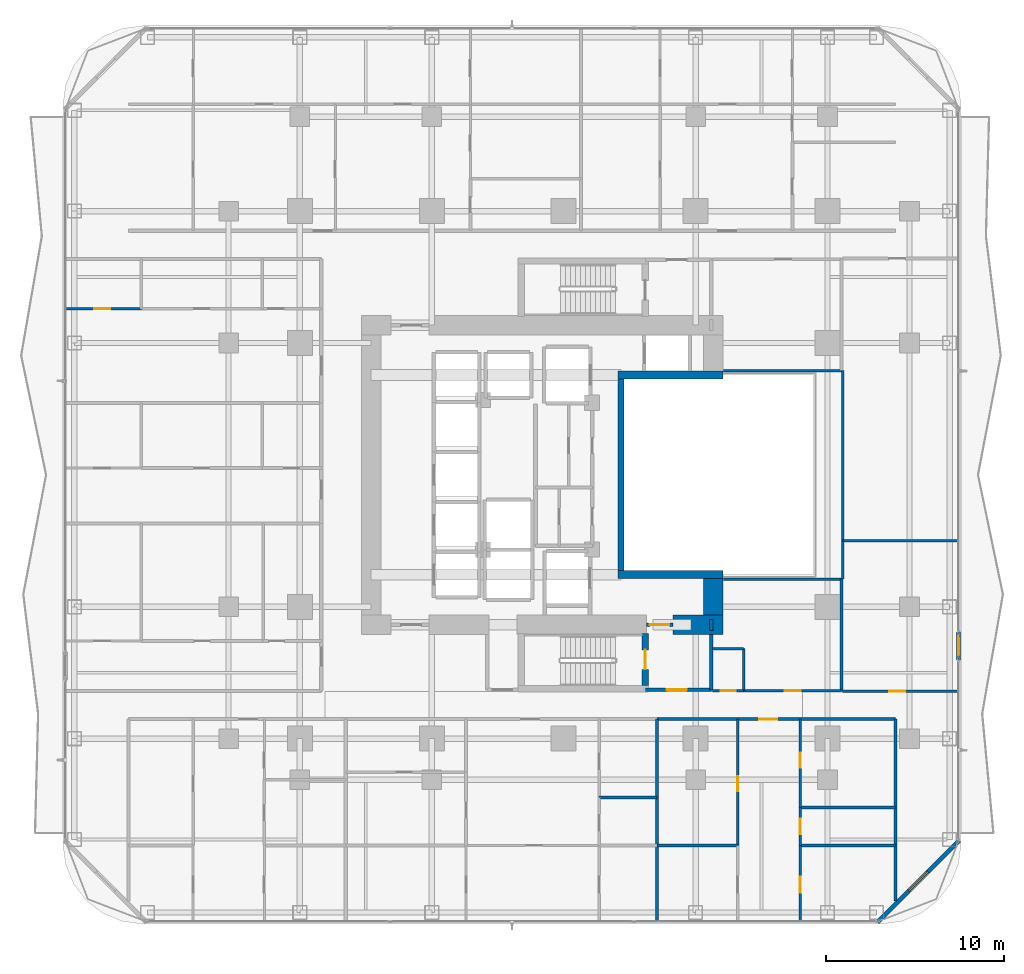
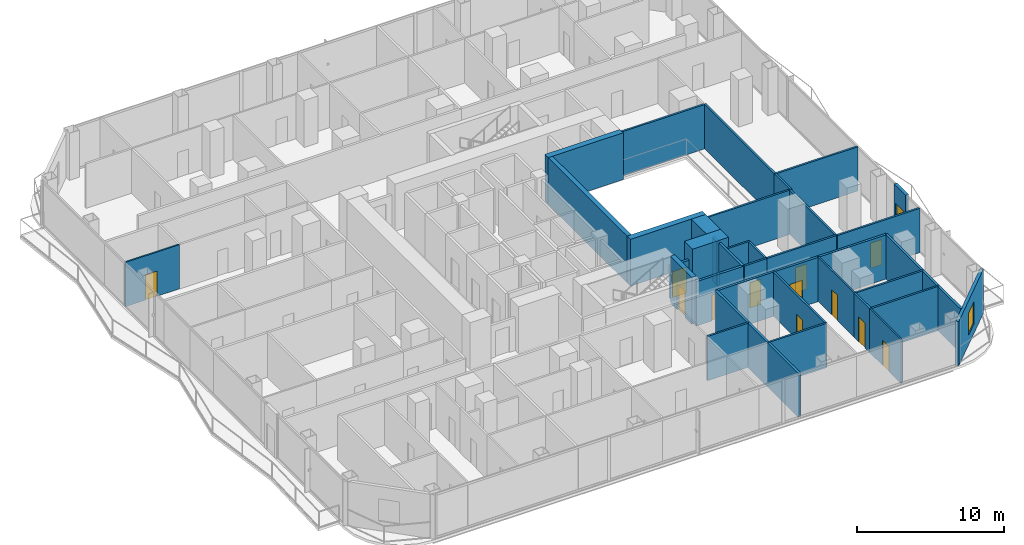
# One storey, part 22 of 30: 35 walls, 13 doors, 1 window, 14 openings.
"""IFC4 building model written with IfcOpenShell, lengths in metres."""

from ifc_helpers import new_model, si_unit, direction, frame, frame_2d, origin, place, context, subcontext, project, spatial, rectangle, extrude, material, layer, layer_set, type_object, element, fill, save


model = new_model("IFC4")

# Units and contexts
model_context = context("Model", 3, precision=1e-05, world=origin(), true_north=direction((0.0, 1.0)))
body_context = subcontext(model_context, "Body", "Model", "MODEL_VIEW")
ifc_project = project(units=[si_unit("LENGTHUNIT", "METRE"), si_unit("AREAUNIT", "SQUARE_METRE"), si_unit("VOLUMEUNIT", "CUBIC_METRE"), si_unit("PLANEANGLEUNIT", "RADIAN"), si_unit("MASSUNIT", "GRAM", prefix="KILO")], contexts=[model_context])

# Site, building, storey
site_placement = place(None, origin())
site = spatial("IfcSite", under=ifc_project, at=site_placement, CompositionType="ELEMENT")
building_placement = place(site_placement, origin())
building = spatial("IfcBuilding", under=site, at=building_placement, Name="Khorvyn Point Tower", CompositionType="ELEMENT")
storey_placement = place(building_placement, frame((0.0, 0.0, 57.89990234375)))
storey = spatial("IfcBuildingStorey", under=building, at=storey_placement, Name="L15", CompositionType="ELEMENT", Elevation=57.89990234375)

# Wall, opening, door
ifc_material_1 = material(Name="Double acoustic gypsum on twin steel stud", Category="steel")
ifc_layer_1 = layer(ifc_material_1, 0.179931640625)
ifc_layer_set_1 = layer_set([ifc_layer_1], Name="Acoustic Double-Stud Apartment Demising Wall 180")
wall_type_1 = type_object("IfcWallType", Name="Acoustic Double-Stud Apartment Demising Wall 180", PredefinedType="PARTITIONING", material=ifc_layer_set_1)
wall_1_placement = place(storey_placement, frame((5.241943359375, -13.699951171875, 0.0), z_axis=(0.0, 0.0, 1.0), x_axis=(1.0, 0.0, 0.0)))
wall_1 = element("IfcWall", 1, at=wall_1_placement, inside=storey, type_object=wall_type_1, Name="Wall", PredefinedType="PARTITIONING", context=body_context, shape_type="SweptSolid", body=[
    extrude(rectangle(XDim=13.378173828125, YDim=0.179931640625, at=frame_2d((6.68896484375, 0.0))), origin(), (0.0, 0.0, 1.0), 3.68017578125),
])
opening_1_placement = place(wall_1_placement, frame((5.739013671875, 0.0, 0.0)))
opening_1 = element("IfcOpeningElement", 2, at=opening_1_placement, cuts=wall_1, Name="Opening ID-AP60", PredefinedType="OPENING", context=body_context, shape_type="SweptSolid", body=[
    extrude(rectangle(XDim=1.0, YDim=2.199951171875, at=frame_2d((0.5, 1.10009765625))), frame((0.0, 0.099853515625, 0.0), z_axis=(0.0, -1.0, 0.0), x_axis=(1.0, 0.0, 0.0)), (0.0, 0.0, 1.0), 0.199951171875),
])
ifc_material_2 = material(Name="Engineered hardwood fire-rated leaf", Category="wood")
door_type_1 = type_object("IfcDoorType", Name="Acoustic Solid-Core Timber Apartment Entrance Door 1000x2200", OperationType="NOTDEFINED", PredefinedType="DOOR", material=ifc_material_2)
door_1_placement = place(opening_1_placement, origin())
door_1 = element("IfcDoor", 3, at=door_1_placement, inside=storey, type_object=door_type_1, Name="Door", OperationType="SINGLE_SWING_LEFT", OverallHeight=2.199951171875, OverallWidth=1.0, PredefinedType="DOOR", context=body_context, shape_type="SweptSolid", body=[
    extrude(rectangle(XDim=1.0, YDim=2.199951171875, at=frame_2d((0.5, 1.10009765625))), frame((0.0, 0.02490234375, 0.0), z_axis=(0.0, -1.0, 0.0), x_axis=(1.0, 0.0, 0.0)), (0.0, 0.0, 1.0), 0.050048828125),
])
fill(opening_1, door_1)

# Walls
wall_2_placement = place(storey_placement, frame((18.6201171875, -23.909912109375, 0.0), z_axis=(0.0, 0.0, 1.0), x_axis=(0.0, 1.0, 0.0)))
element("IfcWall", 4, at=wall_2_placement, inside=storey, type_object=wall_type_1, Name="Wall", PredefinedType="PARTITIONING", context=body_context, shape_type="SweptSolid", body=[
    extrude(rectangle(XDim=10.2099609375, YDim=0.179931640625, at=frame_2d((5.10498046875, 0.0))), origin(), (0.0, 0.0, 1.0), 3.68017578125),
])
wall_3_placement = place(storey_placement, frame((5.241943359375, -25.030029296875, 0.0), z_axis=(0.0, 0.0, 1.0), x_axis=(0.0, 1.0, 0.0)))
element("IfcWall", 5, at=wall_3_placement, inside=storey, type_object=wall_type_1, Name="Wall", PredefinedType="PARTITIONING", context=body_context, shape_type="SweptSolid", body=[
    extrude(rectangle(XDim=11.330078125, YDim=0.179931640625, at=frame_2d((5.6650390625, 0.0))), origin(), (0.0, 0.0, 1.0), 3.68017578125),
])

# Wall, opening, door
ifc_material_3 = material(Name="Pale anodised aluminium rainscreen on steel stud", Category="steel")
ifc_layer_2 = layer(ifc_material_3, 0.239990234375)
ifc_layer_set_2 = layer_set([ifc_layer_2], Name="Anodised Aluminium Insulated Corner Spandrel Wall 240")
wall_type_2 = type_object("IfcWallType", Name="Anodised Aluminium Insulated Corner Spandrel Wall 240", PredefinedType="SOLIDWALL", material=ifc_layer_set_2)
wall_4_placement = place(storey_placement, frame((22.14990234375, -8.81494140625, 0.0), z_axis=(0.0, 0.0, 1.0), x_axis=(0.0, -1.0, 0.0)))
wall_4 = element("IfcWall", 6, at=wall_4_placement, inside=storey, type_object=wall_type_2, Name="L15 East Outdoor Threshold Wall", PredefinedType="SOLIDWALL", context=body_context, shape_type="SweptSolid", body=[
    extrude(rectangle(XDim=1.580078125, YDim=0.239990234375, at=frame_2d((0.7900390625, 0.0))), origin(), (0.0, 0.0, 1.0), 3.68017578125),
])
opening_2_placement = place(wall_4_placement, frame((0.239990234375, 0.0, 0.0)))
opening_2 = element("IfcOpeningElement", 7, at=opening_2_placement, cuts=wall_4, Name="Opening BD-1122", PredefinedType="OPENING", context=body_context, shape_type="SweptSolid", body=[
    extrude(rectangle(XDim=1.10009765625, YDim=2.199951171875, at=frame_2d((0.550048828125, 1.10009765625))), frame((0.0, 0.1298828125, 0.0), z_axis=(0.0, -1.0, 0.0), x_axis=(1.0, 0.0, 0.0)), (0.0, 0.0, 1.0), 0.260009765625),
])
ifc_material_4 = material(Name="Anodised aluminium 6063-T6 and laminated Low-E glass", Category="aluminium")
door_type_2 = type_object("IfcDoorType", Name="Glazed Balcony and Terrace Threshold Door 1100x2200", OperationType="NOTDEFINED", PredefinedType="DOOR", material=ifc_material_4)
door_2_placement = place(opening_2_placement, origin())
door_2 = element("IfcDoor", 8, at=door_2_placement, inside=storey, type_object=door_type_2, Name="L15 East Glazed Balcony Outdoor Door", OperationType="SINGLE_SWING_LEFT", OverallHeight=2.199951171875, OverallWidth=1.10009765625, PredefinedType="DOOR", context=body_context, shape_type="SweptSolid", body=[
    extrude(rectangle(XDim=1.10009765625, YDim=2.199951171875, at=frame_2d((0.550048828125, 1.10009765625))), frame((0.0, 0.02490234375, 0.0), z_axis=(0.0, -1.0, 0.0), x_axis=(1.0, 0.0, 0.0)), (0.0, 0.0, 1.0), 0.050048828125),
])
fill(opening_2, door_2)

# Wall, opening, window
wall_5_placement = place(storey_placement, frame((22.1923828125, -20.507568359375, 0.0), z_axis=(0.0, 0.0, 1.0), x_axis=(-0.707106781187, -0.707106781187, 0.0)))
wall_5 = element("IfcWall", 9, at=wall_5_placement, inside=storey, type_object=wall_type_2, Name="L15 Rounded Corner Wall SE", PredefinedType="SOLIDWALL", context=body_context, shape_type="SweptSolid", body=[
    extrude(rectangle(XDim=6.48388671875, YDim=0.239990234375, at=frame_2d((3.241943359375, 0.0))), origin(), (0.0, 0.0, 1.0), 3.68017578125),
])
opening_3_placement = place(wall_5_placement, frame((2.491943359375, 0.0, 0.800048828125)))
opening_3 = element("IfcOpeningElement", 10, at=opening_3_placement, cuts=wall_5, Name="Opening WN-1518", PredefinedType="OPENING", context=body_context, shape_type="SweptSolid", body=[
    extrude(rectangle(XDim=1.5, YDim=1.85009765625, at=frame_2d((0.75, 0.925048828125))), frame((0.0, 0.1298828125, 0.0), z_axis=(0.0, -1.0, 0.0), x_axis=(1.0, 0.0, 0.0)), (0.0, 0.0, 1.0), 0.260009765625),
])
window_type = type_object("IfcWindowType", Name="Anodised Aluminium Rounded-Corner Panoramic Window 1500x1850", PartitioningType="SINGLE_PANEL", PredefinedType="WINDOW", material=ifc_material_4)
window_placement = place(opening_3_placement, origin())
window = element("IfcWindow", 11, at=window_placement, inside=storey, type_object=window_type, Name="L15 Corner Panoramic Window SE", OverallHeight=1.85009765625, OverallWidth=1.5, PartitioningType="SINGLE_PANEL", PredefinedType="WINDOW", context=body_context, shape_type="SweptSolid", body=[
    extrude(rectangle(XDim=1.5, YDim=1.85009765625, at=frame_2d((0.75, 0.925048828125))), frame((0.0, 0.030029296875, 0.0), z_axis=(0.0, -1.0, 0.0), x_axis=(1.0, 0.0, 0.0)), (0.0, 0.0, 1.0), 0.06005859375),
])
fill(opening_3, window)

# Walls
ifc_material_5 = material(Name="Concrete C40/50", Category="concrete")
ifc_layer_3 = layer(ifc_material_5, 0.449951171875)
ifc_layer_set_3 = layer_set([ifc_layer_3], Name="Concrete C40/50 Core Shear Wall 450")
wall_type_3 = type_object("IfcWallType", Name="Concrete C40/50 Core Shear Wall 450", PredefinedType="SHEAR", material=ifc_layer_set_3)
for number, where, z_axis, x_axis, name in (
    (12, (3.044921875, -5.60009765625, 0.0), (0.0, 0.0, 1.0), (1.0, 0.0, 0.0), "Wall"),
    (13, (3.044921875, 5.60009765625, 0.0), (0.0, 0.0, 1.0), (1.0, 0.0, 0.0), "Wall"),
):
    element("IfcWall", number, at=place(storey_placement, frame(where, z_axis=z_axis, x_axis=x_axis)), inside=storey, type_object=wall_type_3, Name=name, PredefinedType="SHEAR", context=body_context, shape_type="SweptSolid", body=[
        extrude(rectangle(XDim=5.905029296875, YDim=0.449951171875, at=frame_2d((2.95263671875, 0.0))), origin(), (0.0, 0.0, 1.0), 3.900146484375),
    ])

# Wall, opening, door
ifc_layer_4 = layer(ifc_material_5, 0.199951171875)
ifc_layer_set_4 = layer_set([ifc_layer_4], Name="Concrete C40/50 Fire-Lobby Compartment Wall 200")
wall_type_4 = type_object("IfcWallType", Name="Concrete C40/50 Fire-Lobby Compartment Wall 200", PredefinedType="SOLIDWALL", material=ifc_layer_set_4)
wall_6_placement = place(storey_placement, frame((4.580078125, -12.06005859375, 0.0), z_axis=(0.0, 0.0, 1.0), x_axis=(1.0, 0.0, 0.0)))
wall_6 = element("IfcWall", 14, at=wall_6_placement, inside=storey, type_object=wall_type_4, Name="Wall", PredefinedType="SOLIDWALL", context=body_context, shape_type="SweptSolid", body=[
    extrude(rectangle(XDim=3.699951171875, YDim=0.199951171875, at=frame_2d((1.85009765625, 0.0))), origin(), (0.0, 0.0, 1.0), 3.68017578125),
])
opening_4_placement = place(wall_6_placement, frame((1.21240234375, 0.0, 0.0)))
opening_4 = element("IfcOpeningElement", 15, at=opening_4_placement, cuts=wall_6, Name="Opening ID-FL90", PredefinedType="OPENING", context=body_context, shape_type="SweptSolid", body=[
    extrude(rectangle(XDim=1.10009765625, YDim=2.14990234375, at=frame_2d((0.550048828125, 1.074951171875))), frame((0.0, 0.10986328125, 0.0), z_axis=(0.0, -1.0, 0.0), x_axis=(1.0, 0.0, 0.0)), (0.0, 0.0, 1.0), 0.219970703125),
])
ifc_material_6 = material(Name="Galvanised powder-coated steel", Category="steel")
door_type_3 = type_object("IfcDoorType", Name="Fire-Rated Steel Lobby and Stair Door 1100x2150", OperationType="NOTDEFINED", PredefinedType="DOOR", material=ifc_material_6)
door_3_placement = place(opening_4_placement, origin())
door_3 = element("IfcDoor", 16, at=door_3_placement, inside=storey, type_object=door_type_3, Name="Door", OperationType="SINGLE_SWING_RIGHT", OverallHeight=2.14990234375, OverallWidth=1.10009765625, PredefinedType="DOOR", context=body_context, shape_type="SweptSolid", body=[
    extrude(rectangle(XDim=1.10009765625, YDim=2.14990234375, at=frame_2d((0.550048828125, 1.074951171875))), frame((0.0, 0.02490234375, 0.0), z_axis=(0.0, -1.0, 0.0), x_axis=(1.0, 0.0, 0.0)), (0.0, 0.0, 1.0), 0.050048828125),
])
fill(opening_4, door_3)

wall_7_placement = place(storey_placement, frame((4.64990234375, -8.39990234375, 0.0), z_axis=(0.0, 0.0, 1.0), x_axis=(1.0, 0.0, 0.0)))
wall_7 = element("IfcWall", 17, at=wall_7_placement, inside=storey, type_object=wall_type_4, Name="Wall", PredefinedType="SOLIDWALL", context=body_context, shape_type="SweptSolid", body=[
    extrude(rectangle(XDim=1.47021484375, YDim=0.199951171875, at=frame_2d((0.735107421875, 0.0))), origin(), (0.0, 0.0, 1.0), 2.72021484375),
])
opening_5_placement = place(wall_7_placement, frame((0.18505859375, 0.0, 0.0)))
opening_5 = element("IfcOpeningElement", 18, at=opening_5_placement, cuts=wall_7, Name="Opening ID-FL90", PredefinedType="OPENING", context=body_context, shape_type="SweptSolid", body=[
    extrude(rectangle(XDim=1.10009765625, YDim=2.14990234375, at=frame_2d((0.550048828125, 1.074951171875))), frame((0.0, 0.10986328125, 0.0), z_axis=(0.0, -1.0, 0.0), x_axis=(1.0, 0.0, 0.0)), (0.0, 0.0, 1.0), 0.219970703125),
])
door_4_placement = place(opening_5_placement, origin())
door_4 = element("IfcDoor", 19, at=door_4_placement, inside=storey, type_object=door_type_3, Name="Door", OperationType="SINGLE_SWING_LEFT", OverallHeight=2.14990234375, OverallWidth=1.10009765625, PredefinedType="DOOR", context=body_context, shape_type="SweptSolid", body=[
    extrude(rectangle(XDim=1.10009765625, YDim=2.14990234375, at=frame_2d((0.550048828125, 1.074951171875))), frame((0.0, 0.02490234375, 0.0), z_axis=(0.0, -1.0, 0.0), x_axis=(1.0, 0.0, 0.0)), (0.0, 0.0, 1.0), 0.050048828125),
])
fill(opening_5, door_4)

# Walls
wall_8_placement = place(storey_placement, frame((8.280029296875, -12.06005859375, 0.0), z_axis=(0.0, 0.0, 1.0), x_axis=(0.0, 1.0, 0.0)))
element("IfcWall", 20, at=wall_8_placement, inside=storey, type_object=wall_type_4, Name="Wall", PredefinedType="SOLIDWALL", context=body_context, shape_type="SweptSolid", body=[
    extrude(rectangle(XDim=3.110107421875, YDim=0.199951171875, at=frame_2d((1.55517578125, 0.0))), origin(), (0.0, 0.0, 1.0), 3.68017578125),
])
wall_9_placement = place(storey_placement, frame((8.280029296875, -8.72509765625, 0.0), z_axis=(0.0, 0.0, 1.0), x_axis=(0.0, 1.0, 0.0)))
element("IfcWall", 21, at=wall_9_placement, inside=storey, type_object=wall_type_4, Name="Wall", PredefinedType="SOLIDWALL", context=body_context, shape_type="SweptSolid", body=[
    extrude(rectangle(XDim=0.625, YDim=0.199951171875, at=frame_2d((0.3125, 0.0))), origin(), (0.0, 0.0, 1.0), 3.68017578125),
])
ifc_layer_5 = layer(ifc_material_5, 0.35009765625)
ifc_layer_set_5 = layer_set([ifc_layer_5], Name="Concrete C40/50 Stair Shaft Structural Wall 350")
wall_type_5 = type_object("IfcWallType", Name="Concrete C40/50 Stair Shaft Structural Wall 350", PredefinedType="SHEAR", material=ifc_layer_set_5)
wall_10_placement = place(storey_placement, frame((3.219970703125, -5.375, 0.0), z_axis=(0.0, 0.0, 1.0), x_axis=(0.0, 1.0, 0.0)))
element("IfcWall", 22, at=wall_10_placement, inside=storey, type_object=wall_type_5, Name="Wall", PredefinedType="SHEAR", context=body_context, shape_type="SweptSolid", body=[
    extrude(rectangle(XDim=10.75, YDim=0.35009765625, at=frame_2d((5.375, 0.0))), origin(), (0.0, 0.0, 1.0), 3.900146484375),
])

# Wall, opening, door
wall_11_placement = place(storey_placement, frame((4.580078125, -8.89990234375, 0.0), z_axis=(0.0, 0.0, 1.0), x_axis=(0.0, -1.0, 0.0)))
wall_11 = element("IfcWall", 23, at=wall_11_placement, inside=storey, type_object=wall_type_5, Name="L15 ST-01 East Landing Door Wall", PredefinedType="SHEAR", context=body_context, shape_type="SweptSolid", body=[
    extrude(rectangle(XDim=2.925048828125, YDim=0.35009765625, at=frame_2d((1.46240234375, 0.0))), origin(), (0.0, 0.0, 1.0), 3.900146484375),
])
opening_6_placement = place(wall_11_placement, frame((0.91259765625, 0.0, 0.0)))
opening_6 = element("IfcOpeningElement", 24, at=opening_6_placement, cuts=wall_11, Name="Opening ID-FL90", PredefinedType="OPENING", context=body_context, shape_type="SweptSolid", body=[
    extrude(rectangle(XDim=1.10009765625, YDim=2.14990234375, at=frame_2d((0.550048828125, 1.074951171875))), frame((0.0, 0.18505859375, 0.0), z_axis=(0.0, -1.0, 0.0), x_axis=(1.0, 0.0, 0.0)), (0.0, 0.0, 1.0), 0.3701171875),
])
door_5_placement = place(opening_6_placement, origin())
door_5 = element("IfcDoor", 25, at=door_5_placement, inside=storey, type_object=door_type_3, Name="L15 ST-01 Smokeproof Landing Door", OperationType="SINGLE_SWING_LEFT", OverallHeight=2.14990234375, OverallWidth=1.10009765625, PredefinedType="DOOR", context=body_context, shape_type="SweptSolid", body=[
    extrude(rectangle(XDim=1.10009765625, YDim=2.14990234375, at=frame_2d((0.550048828125, 1.074951171875))), frame((0.0, 0.02490234375, 0.0), z_axis=(0.0, -1.0, 0.0), x_axis=(1.0, 0.0, 0.0)), (0.0, 0.0, 1.0), 0.050048828125),
])
fill(opening_6, door_5)

# Walls
ifc_material_7 = material(Name="Concrete C50/60", Category="concrete")
ifc_layer_6 = layer(ifc_material_7, 1.10009765625)
ifc_layer_set_6 = layer_set([ifc_layer_6], Name="Concrete C50/60 Core Shear Wall 1100")
wall_type_6 = type_object("IfcWallType", Name="Concrete C50/60 Core Shear Wall 1100", PredefinedType="SHEAR", material=ifc_layer_set_6)
wall_12_placement = place(storey_placement, frame((6.1201171875, -8.39990234375, 0.0), z_axis=(0.0, 0.0, 1.0), x_axis=(1.0, 0.0, 0.0)))
element("IfcWall", 26, at=wall_12_placement, inside=storey, type_object=wall_type_6, Name="Wall", PredefinedType="SHEAR", context=body_context, shape_type="SweptSolid", body=[
    extrude(rectangle(XDim=2.829833984375, YDim=1.10009765625, at=frame_2d((1.4150390625, 0.0))), origin(), (0.0, 0.0, 1.0), 3.900146484375),
])
wall_13_placement = place(storey_placement, frame((8.39990234375, -7.85009765625, 0.0), z_axis=(0.0, 0.0, 1.0), x_axis=(0.0, 1.0, 0.0)))
element("IfcWall", 27, at=wall_13_placement, inside=storey, type_object=wall_type_6, Name="Wall", PredefinedType="SHEAR", context=body_context, shape_type="SweptSolid", body=[
    extrude(rectangle(XDim=2.025146484375, YDim=1.10009765625, at=frame_2d((1.0126953125, 0.0))), origin(), (0.0, 0.0, 1.0), 3.900146484375),
])

# Wall, opening, door
ifc_material_8 = material(Name="Gypsum plasterboard on steel stud", Category="steel")
ifc_layer_7 = layer(ifc_material_8, 0.1201171875)
ifc_layer_set_7 = layer_set([ifc_layer_7], Name="Gypsum Acoustic Stud Room Partition Wall 120")
wall_type_7 = type_object("IfcWallType", Name="Gypsum Acoustic Stud Room Partition Wall 120", PredefinedType="PARTITIONING", material=ifc_layer_set_7)
wall_14_placement = place(storey_placement, frame((13.26904296875, -18.6630859375, 0.0), z_axis=(0.0, 0.0, 1.0), x_axis=(0.0, 1.0, 0.0)))
wall_14 = element("IfcWall", 28, at=wall_14_placement, inside=storey, type_object=wall_type_7, Name="Wall", PredefinedType="PARTITIONING", context=body_context, shape_type="SweptSolid", body=[
    extrude(rectangle(XDim=4.963134765625, YDim=0.1201171875, at=frame_2d((2.4814453125, 0.0))), origin(), (0.0, 0.0, 1.0), 3.68017578125),
])
opening_7_placement = place(wall_14_placement, frame((2.22900390625, 0.0, 0.0)))
opening_7 = element("IfcOpeningElement", 29, at=opening_7_placement, cuts=wall_14, Name="Opening ID-WC85", PredefinedType="OPENING", context=body_context, shape_type="SweptSolid", body=[
    extrude(rectangle(XDim=0.85009765625, YDim=2.10009765625, at=frame_2d((0.425048828125, 1.050048828125))), frame((0.0, 0.070068359375, 0.0), z_axis=(0.0, -1.0, 0.0), x_axis=(1.0, 0.0, 0.0)), (0.0, 0.0, 1.0), 0.14013671875),
])
ifc_material_9 = material(Name="High-pressure laminate on moisture-resistant core", Category="wood")
door_type_4 = type_object("IfcDoorType", Name="Moisture-Resistant Accessible Washroom Door 850x2100", OperationType="NOTDEFINED", PredefinedType="DOOR", material=ifc_material_9)
door_6_placement = place(opening_7_placement, origin())
door_6 = element("IfcDoor", 30, at=door_6_placement, inside=storey, type_object=door_type_4, Name="Door", OperationType="SINGLE_SWING_LEFT", OverallHeight=2.10009765625, OverallWidth=0.85009765625, PredefinedType="DOOR", context=body_context, shape_type="SweptSolid", body=[
    extrude(rectangle(XDim=0.85009765625, YDim=2.10009765625, at=frame_2d((0.425048828125, 1.050048828125))), frame((0.0, 0.02490234375, 0.0), z_axis=(0.0, -1.0, 0.0), x_axis=(1.0, 0.0, 0.0)), (0.0, 0.0, 1.0), 0.050048828125),
])
fill(opening_7, door_6)

wall_15_placement = place(storey_placement, frame((13.26904296875, -25.030029296875, 0.0), z_axis=(0.0, 0.0, 1.0), x_axis=(0.0, 1.0, 0.0)))
wall_15 = element("IfcWall", 31, at=wall_15_placement, inside=storey, type_object=wall_type_7, Name="Wall", PredefinedType="PARTITIONING", context=body_context, shape_type="SweptSolid", body=[
    extrude(rectangle(XDim=4.239990234375, YDim=0.1201171875, at=frame_2d((2.1201171875, 0.0))), origin(), (0.0, 0.0, 1.0), 3.68017578125),
])
opening_8_placement = place(wall_15_placement, frame((1.581298828125, 0.0, 0.0)))
opening_8 = element("IfcOpeningElement", 32, at=opening_8_placement, cuts=wall_15, Name="Opening ID-RM90", PredefinedType="OPENING", context=body_context, shape_type="SweptSolid", body=[
    extrude(rectangle(XDim=0.89990234375, YDim=2.10009765625, at=frame_2d((0.449951171875, 1.050048828125))), frame((0.0, 0.070068359375, 0.0), z_axis=(0.0, -1.0, 0.0), x_axis=(1.0, 0.0, 0.0)), (0.0, 0.0, 1.0), 0.14013671875),
])
ifc_material_10 = material(Name="Engineered oak veneer timber", Category="wood")
door_type_5 = type_object("IfcDoorType", Name="Flush Engineered Timber Room Door 900x2100", OperationType="NOTDEFINED", PredefinedType="DOOR", material=ifc_material_10)
door_7_placement = place(opening_8_placement, origin())
door_7 = element("IfcDoor", 33, at=door_7_placement, inside=storey, type_object=door_type_5, Name="Door", OperationType="SINGLE_SWING_RIGHT", OverallHeight=2.10009765625, OverallWidth=0.89990234375, PredefinedType="DOOR", context=body_context, shape_type="SweptSolid", body=[
    extrude(rectangle(XDim=0.89990234375, YDim=2.10009765625, at=frame_2d((0.449951171875, 1.050048828125))), frame((0.0, 0.02490234375, 0.0), z_axis=(0.0, -1.0, 0.0), x_axis=(1.0, 0.0, 0.0)), (0.0, 0.0, 1.0), 0.050048828125),
])
fill(opening_8, door_7)

wall_16_placement = place(storey_placement, frame((-27.929931640625, 9.320068359375, 0.0), z_axis=(0.0, 0.0, 1.0), x_axis=(1.0, 0.0, 0.0)))
wall_16 = element("IfcWall", 34, at=wall_16_placement, inside=storey, type_object=wall_type_7, Name="Wall", PredefinedType="PARTITIONING", context=body_context, shape_type="SweptSolid", body=[
    extrude(rectangle(XDim=4.239990234375, YDim=0.1201171875, at=frame_2d((2.1201171875, 0.0))), origin(), (0.0, 0.0, 1.0), 3.68017578125),
])
opening_9_placement = place(wall_16_placement, frame((1.581298828125, 0.0, 0.0)))
opening_9 = element("IfcOpeningElement", 35, at=opening_9_placement, cuts=wall_16, Name="Opening ID-RM90", PredefinedType="OPENING", context=body_context, shape_type="SweptSolid", body=[
    extrude(rectangle(XDim=0.89990234375, YDim=2.10009765625, at=frame_2d((0.449951171875, 1.050048828125))), frame((0.0, 0.070068359375, 0.0), z_axis=(0.0, -1.0, 0.0), x_axis=(1.0, 0.0, 0.0)), (0.0, 0.0, 1.0), 0.14013671875),
])
door_8_placement = place(opening_9_placement, origin())
door_8 = element("IfcDoor", 36, at=door_8_placement, inside=storey, type_object=door_type_5, Name="Door", OperationType="SINGLE_SWING_RIGHT", OverallHeight=2.10009765625, OverallWidth=0.89990234375, PredefinedType="DOOR", context=body_context, shape_type="SweptSolid", body=[
    extrude(rectangle(XDim=0.89990234375, YDim=2.10009765625, at=frame_2d((0.449951171875, 1.050048828125))), frame((0.0, 0.02490234375, 0.0), z_axis=(0.0, -1.0, 0.0), x_axis=(1.0, 0.0, 0.0)), (0.0, 0.0, 1.0), 0.050048828125),
])
fill(opening_9, door_8)

ifc_material_11 = material(Name="Moisture-resistant gypsum and cement board", Category="gypsum")
ifc_layer_8 = layer(ifc_material_11, 0.14990234375)
ifc_layer_set_8 = layer_set([ifc_layer_8], Name="Moisture-Resistant Wet-Room Partition Wall 150")
wall_type_8 = type_object("IfcWallType", Name="Moisture-Resistant Wet-Room Partition Wall 150", PredefinedType="PARTITIONING", material=ifc_layer_set_8)
wall_17_placement = place(storey_placement, frame((8.360107421875, -12.10009765625, 0.0), z_axis=(0.0, 0.0, 1.0), x_axis=(1.0, 0.0, 0.0)))
wall_17 = element("IfcWall", 37, at=wall_17_placement, inside=storey, type_object=wall_type_8, Name="Wall", PredefinedType="PARTITIONING", context=body_context, shape_type="SweptSolid", body=[
    extrude(rectangle(XDim=1.739990234375, YDim=0.14990234375, at=frame_2d((0.8701171875, 0.0))), origin(), (0.0, 0.0, 1.0), 3.68017578125),
])
opening_10_placement = place(wall_17_placement, frame((0.445068359375, 0.0, 0.0)))
opening_10 = element("IfcOpeningElement", 38, at=opening_10_placement, cuts=wall_17, Name="Opening ID-WC85", PredefinedType="OPENING", context=body_context, shape_type="SweptSolid", body=[
    extrude(rectangle(XDim=0.85009765625, YDim=2.10009765625, at=frame_2d((0.425048828125, 1.050048828125))), frame((0.0, 0.0849609375, 0.0), z_axis=(0.0, -1.0, 0.0), x_axis=(1.0, 0.0, 0.0)), (0.0, 0.0, 1.0), 0.169921875),
])
door_9_placement = place(opening_10_placement, origin())
door_9 = element("IfcDoor", 39, at=door_9_placement, inside=storey, type_object=door_type_4, Name="Door", OperationType="SINGLE_SWING_RIGHT", OverallHeight=2.10009765625, OverallWidth=0.85009765625, PredefinedType="DOOR", context=body_context, shape_type="SweptSolid", body=[
    extrude(rectangle(XDim=0.85009765625, YDim=2.10009765625, at=frame_2d((0.425048828125, 1.050048828125))), frame((0.0, 0.02490234375, 0.0), z_axis=(0.0, -1.0, 0.0), x_axis=(1.0, 0.0, 0.0)), (0.0, 0.0, 1.0), 0.050048828125),
])
fill(opening_10, door_9)

wall_18_placement = place(storey_placement, frame((10.10009765625, -12.10009765625, 0.0), z_axis=(0.0, 0.0, 1.0), x_axis=(1.0, 0.0, 0.0)))
wall_18 = element("IfcWall", 40, at=wall_18_placement, inside=storey, type_object=wall_type_8, Name="Wall", PredefinedType="PARTITIONING", context=body_context, shape_type="SweptSolid", body=[
    extrude(rectangle(XDim=5.47998046875, YDim=0.14990234375, at=frame_2d((2.739990234375, 0.0))), origin(), (0.0, 0.0, 1.0), 3.68017578125),
])
opening_11_placement = place(wall_18_placement, frame((2.2900390625, 0.0, 0.0)))
opening_11 = element("IfcOpeningElement", 41, at=opening_11_placement, cuts=wall_18, Name="Opening ID-RM90", PredefinedType="OPENING", context=body_context, shape_type="SweptSolid", body=[
    extrude(rectangle(XDim=0.89990234375, YDim=2.10009765625, at=frame_2d((0.449951171875, 1.050048828125))), frame((0.0, 0.0849609375, 0.0), z_axis=(0.0, -1.0, 0.0), x_axis=(1.0, 0.0, 0.0)), (0.0, 0.0, 1.0), 0.169921875),
])
door_10_placement = place(opening_11_placement, origin())
door_10 = element("IfcDoor", 42, at=door_10_placement, inside=storey, type_object=door_type_5, Name="Door", OperationType="SINGLE_SWING_LEFT", OverallHeight=2.10009765625, OverallWidth=0.89990234375, PredefinedType="DOOR", context=body_context, shape_type="SweptSolid", body=[
    extrude(rectangle(XDim=0.89990234375, YDim=2.10009765625, at=frame_2d((0.449951171875, 1.050048828125))), frame((0.0, 0.02490234375, 0.0), z_axis=(0.0, -1.0, 0.0), x_axis=(1.0, 0.0, 0.0)), (0.0, 0.0, 1.0), 0.050048828125),
])
fill(opening_11, door_10)

wall_19_placement = place(storey_placement, frame((9.763916015625, -20.7900390625, 0.0), z_axis=(0.0, 0.0, 1.0), x_axis=(0.0, 1.0, 0.0)))
wall_19 = element("IfcWall", 43, at=wall_19_placement, inside=storey, type_object=wall_type_8, Name="Wall", PredefinedType="PARTITIONING", context=body_context, shape_type="SweptSolid", body=[
    extrude(rectangle(XDim=7.090087890625, YDim=0.14990234375, at=frame_2d((3.544921875, 0.0))), origin(), (0.0, 0.0, 1.0), 3.68017578125),
])
opening_12_placement = place(wall_19_placement, frame((3.0302734375, 0.0, 0.0)))
opening_12 = element("IfcOpeningElement", 44, at=opening_12_placement, cuts=wall_19, Name="Opening ID-WC85", PredefinedType="OPENING", context=body_context, shape_type="SweptSolid", body=[
    extrude(rectangle(XDim=0.85009765625, YDim=2.10009765625, at=frame_2d((0.425048828125, 1.050048828125))), frame((0.0, 0.0849609375, 0.0), z_axis=(0.0, -1.0, 0.0), x_axis=(1.0, 0.0, 0.0)), (0.0, 0.0, 1.0), 0.169921875),
])
door_11_placement = place(opening_12_placement, origin())
door_11 = element("IfcDoor", 45, at=door_11_placement, inside=storey, type_object=door_type_4, Name="Door", OperationType="SINGLE_SWING_RIGHT", OverallHeight=2.10009765625, OverallWidth=0.85009765625, PredefinedType="DOOR", context=body_context, shape_type="SweptSolid", body=[
    extrude(rectangle(XDim=0.85009765625, YDim=2.10009765625, at=frame_2d((0.425048828125, 1.050048828125))), frame((0.0, 0.02490234375, 0.0), z_axis=(0.0, -1.0, 0.0), x_axis=(1.0, 0.0, 0.0)), (0.0, 0.0, 1.0), 0.050048828125),
])
fill(opening_12, door_11)

wall_20_placement = place(storey_placement, frame((13.26904296875, -20.7900390625, 0.0), z_axis=(0.0, 0.0, 1.0), x_axis=(0.0, 1.0, 0.0)))
wall_20 = element("IfcWall", 46, at=wall_20_placement, inside=storey, type_object=wall_type_8, Name="Wall", PredefinedType="PARTITIONING", context=body_context, shape_type="SweptSolid", body=[
    extrude(rectangle(XDim=2.126953125, YDim=0.14990234375, at=frame_2d((1.0634765625, 0.0))), origin(), (0.0, 0.0, 1.0), 3.68017578125),
])
opening_13_placement = place(wall_20_placement, frame((0.638427734375, 0.0, 0.0)))
opening_13 = element("IfcOpeningElement", 47, at=opening_13_placement, cuts=wall_20, Name="Opening ID-WC85", PredefinedType="OPENING", context=body_context, shape_type="SweptSolid", body=[
    extrude(rectangle(XDim=0.85009765625, YDim=2.10009765625, at=frame_2d((0.425048828125, 1.050048828125))), frame((0.0, 0.0849609375, 0.0), z_axis=(0.0, -1.0, 0.0), x_axis=(1.0, 0.0, 0.0)), (0.0, 0.0, 1.0), 0.169921875),
])
door_12_placement = place(opening_13_placement, origin())
door_12 = element("IfcDoor", 48, at=door_12_placement, inside=storey, type_object=door_type_4, Name="Door", OperationType="SINGLE_SWING_RIGHT", OverallHeight=2.10009765625, OverallWidth=0.85009765625, PredefinedType="DOOR", context=body_context, shape_type="SweptSolid", body=[
    extrude(rectangle(XDim=0.85009765625, YDim=2.10009765625, at=frame_2d((0.425048828125, 1.050048828125))), frame((0.0, 0.02490234375, 0.0), z_axis=(0.0, -1.0, 0.0), x_axis=(1.0, 0.0, 0.0)), (0.0, 0.0, 1.0), 0.050048828125),
])
fill(opening_13, door_12)

wall_21_placement = place(storey_placement, frame((15.64990234375, -12.139892578125, 0.0), z_axis=(0.0, 0.0, 1.0), x_axis=(1.0, 0.0, 0.0)))
wall_21 = element("IfcWall", 49, at=wall_21_placement, inside=storey, type_object=wall_type_8, Name="Wall", PredefinedType="PARTITIONING", context=body_context, shape_type="SweptSolid", body=[
    extrude(rectangle(XDim=6.47021484375, YDim=0.14990234375, at=frame_2d((3.235107421875, 0.0))), origin(), (0.0, 0.0, 1.0), 3.68017578125),
])
opening_14_placement = place(wall_21_placement, frame((2.610107421875, 0.0, 0.0)))
opening_14 = element("IfcOpeningElement", 50, at=opening_14_placement, cuts=wall_21, Name="Opening ID-RM90", PredefinedType="OPENING", context=body_context, shape_type="SweptSolid", body=[
    extrude(rectangle(XDim=0.89990234375, YDim=2.10009765625, at=frame_2d((0.449951171875, 1.050048828125))), frame((0.0, 0.0849609375, 0.0), z_axis=(0.0, -1.0, 0.0), x_axis=(1.0, 0.0, 0.0)), (0.0, 0.0, 1.0), 0.169921875),
])
door_13_placement = place(opening_14_placement, origin())
door_13 = element("IfcDoor", 51, at=door_13_placement, inside=storey, type_object=door_type_5, Name="Door", OperationType="SINGLE_SWING_LEFT", OverallHeight=2.10009765625, OverallWidth=0.89990234375, PredefinedType="DOOR", context=body_context, shape_type="SweptSolid", body=[
    extrude(rectangle(XDim=0.89990234375, YDim=2.10009765625, at=frame_2d((0.449951171875, 1.050048828125))), frame((0.0, 0.02490234375, 0.0), z_axis=(0.0, -1.0, 0.0), x_axis=(1.0, 0.0, 0.0)), (0.0, 0.0, 1.0), 0.050048828125),
])
fill(opening_14, door_13)

# Walls
wall_22_placement = place(storey_placement, frame((8.360107421875, -9.75, 0.0), z_axis=(0.0, 0.0, 1.0), x_axis=(1.0, 0.0, 0.0)))
element("IfcWall", 52, at=wall_22_placement, inside=storey, type_object=wall_type_8, Name="Wall", PredefinedType="PARTITIONING", context=body_context, shape_type="SweptSolid", body=[
    extrude(rectangle(XDim=1.739990234375, YDim=0.14990234375, at=frame_2d((0.8701171875, 0.0))), origin(), (0.0, 0.0, 1.0), 3.68017578125),
])
wall_23_placement = place(storey_placement, frame((10.10009765625, -12.10009765625, 0.0), z_axis=(0.0, 0.0, 1.0), x_axis=(0.0, 1.0, 0.0)))
element("IfcWall", 53, at=wall_23_placement, inside=storey, type_object=wall_type_8, Name="Wall", PredefinedType="PARTITIONING", context=body_context, shape_type="SweptSolid", body=[
    extrude(rectangle(XDim=2.35009765625, YDim=0.14990234375, at=frame_2d((1.175048828125, 0.0))), origin(), (0.0, 0.0, 1.0), 3.68017578125),
])
wall_24_placement = place(storey_placement, frame((15.580078125, -12.10009765625, 0.0), z_axis=(0.0, 0.0, 1.0), x_axis=(0.0, 1.0, 0.0)))
element("IfcWall", 54, at=wall_24_placement, inside=storey, type_object=wall_type_8, Name="Wall", PredefinedType="PARTITIONING", context=body_context, shape_type="SweptSolid", body=[
    extrude(rectangle(XDim=6.25, YDim=0.14990234375, at=frame_2d((3.125, 0.0))), origin(), (0.0, 0.0, 1.0), 3.68017578125),
])
for number, where, z_axis, x_axis, name in (
    (55, (8.9599609375, -5.85009765625, 0.0), (0.0, 0.0, 1.0), (1.0, 0.0, 0.0), "Wall"),
    (56, (8.9599609375, 5.85009765625, 0.0), (0.0, 0.0, 1.0), (1.0, 0.0, 0.0), "Wall"),
):
    element("IfcWall", number, at=place(storey_placement, frame(where, z_axis=z_axis, x_axis=x_axis)), inside=storey, type_object=wall_type_8, Name=name, PredefinedType="PARTITIONING", context=body_context, shape_type="SweptSolid", body=[
        extrude(rectangle(XDim=6.6201171875, YDim=0.14990234375, at=frame_2d((3.31005859375, 0.0))), origin(), (0.0, 0.0, 1.0), 3.68017578125),
    ])
wall_25_placement = place(storey_placement, frame((1.993896484375, -18.095947265625, 0.0), z_axis=(0.0, 0.0, 1.0), x_axis=(1.0, 0.0, 0.0)))
element("IfcWall", 57, at=wall_25_placement, inside=storey, type_object=wall_type_8, Name="Wall", PredefinedType="PARTITIONING", context=body_context, shape_type="SweptSolid", body=[
    extrude(rectangle(XDim=3.248046875, YDim=0.14990234375, at=frame_2d((1.6240234375, 0.0))), origin(), (0.0, 0.0, 1.0), 3.68017578125),
])
wall_26_placement = place(storey_placement, frame((5.241943359375, -20.7900390625, 0.0), z_axis=(0.0, 0.0, 1.0), x_axis=(1.0, 0.0, 0.0)))
element("IfcWall", 58, at=wall_26_placement, inside=storey, type_object=wall_type_8, Name="Wall", PredefinedType="PARTITIONING", context=body_context, shape_type="SweptSolid", body=[
    extrude(rectangle(XDim=4.52197265625, YDim=0.14990234375, at=frame_2d((2.260986328125, 0.0))), origin(), (0.0, 0.0, 1.0), 3.68017578125),
])
for number, where, z_axis, x_axis, name in (
    (59, (13.26904296875, -18.6630859375, 0.0), (0.0, 0.0, 1.0), (1.0, 0.0, 0.0), "Wall"),
    (60, (13.26904296875, -20.7900390625, 0.0), (0.0, 0.0, 1.0), (1.0, 0.0, 0.0), "Wall"),
):
    element("IfcWall", number, at=place(storey_placement, frame(where, z_axis=z_axis, x_axis=x_axis)), inside=storey, type_object=wall_type_8, Name=name, PredefinedType="PARTITIONING", context=body_context, shape_type="SweptSolid", body=[
        extrude(rectangle(XDim=5.35107421875, YDim=0.14990234375, at=frame_2d((2.675537109375, 0.0))), origin(), (0.0, 0.0, 1.0), 3.68017578125),
    ])
wall_27_placement = place(storey_placement, frame((15.64990234375, -5.85009765625, 0.0), z_axis=(0.0, 0.0, 1.0), x_axis=(0.0, 1.0, 0.0)))
element("IfcWall", 61, at=wall_27_placement, inside=storey, type_object=wall_type_8, Name="Wall", PredefinedType="PARTITIONING", context=body_context, shape_type="SweptSolid", body=[
    extrude(rectangle(XDim=2.150146484375, YDim=0.14990234375, at=frame_2d((1.0751953125, 0.0))), origin(), (0.0, 0.0, 1.0), 3.68017578125),
])
wall_28_placement = place(storey_placement, frame((15.64990234375, -3.699951171875, 0.0), z_axis=(0.0, 0.0, 1.0), x_axis=(0.0, 1.0, 0.0)))
element("IfcWall", 62, at=wall_28_placement, inside=storey, type_object=wall_type_8, Name="Wall", PredefinedType="PARTITIONING", context=body_context, shape_type="SweptSolid", body=[
    extrude(rectangle(XDim=9.550048828125, YDim=0.14990234375, at=frame_2d((4.77490234375, 0.0))), origin(), (0.0, 0.0, 1.0), 3.68017578125),
])
wall_29_placement = place(storey_placement, frame((15.64990234375, -3.699951171875, 0.0), z_axis=(0.0, 0.0, 1.0), x_axis=(1.0, 0.0, 0.0)))
element("IfcWall", 63, at=wall_29_placement, inside=storey, type_object=wall_type_8, Name="Wall", PredefinedType="PARTITIONING", context=body_context, shape_type="SweptSolid", body=[
    extrude(rectangle(XDim=6.47998046875, YDim=0.14990234375, at=frame_2d((3.239990234375, 0.0))), origin(), (0.0, 0.0, 1.0), 3.68017578125),
])

save(model, "model.ifc")
